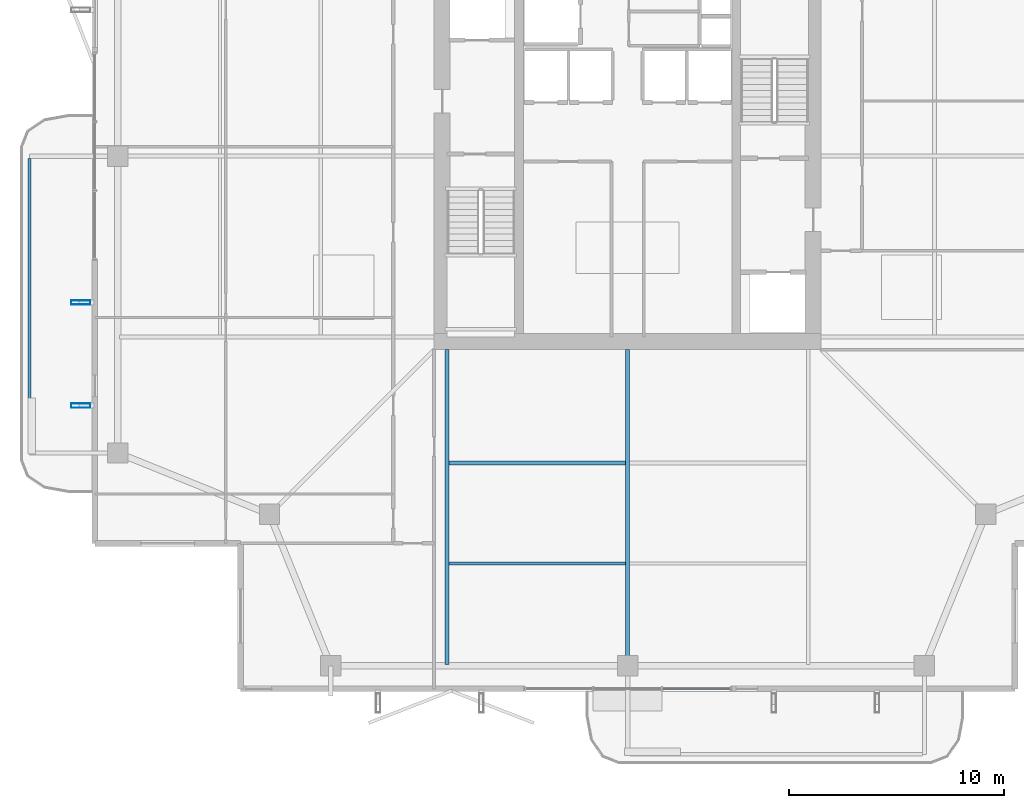
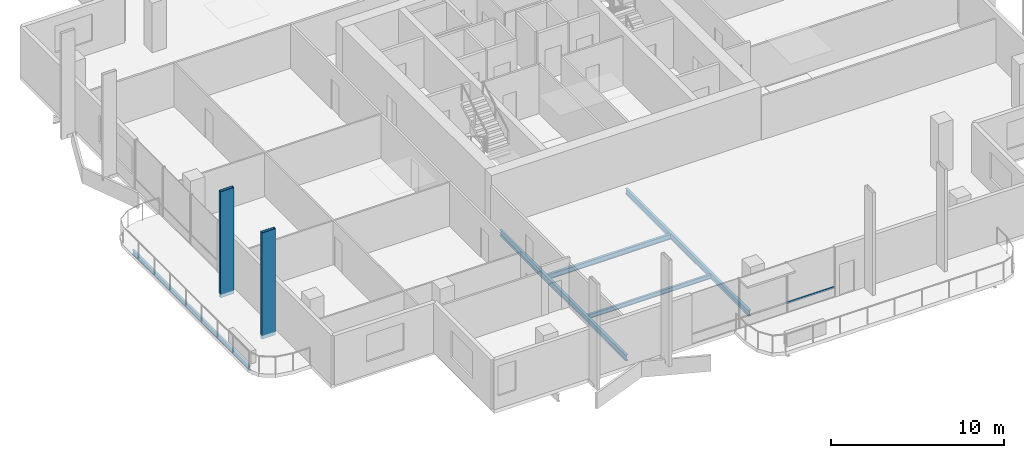
# One storey, part 3 of 25: 5 beams, 3 members, 1 element without a shape of its own.
"""IFC4 building model written with IfcOpenShell, lengths in metres."""

from ifc_helpers import new_model, si_unit, direction, frame, origin, origin_2d, place, context, subcontext, project, spatial, hollow_rectangle, i_section, extrude, material, layer, layer_set, material_profile, profile_set, type_object, element, aggregate, save


model = new_model("IFC4")

# Units and contexts
model_context = context("Model", 3, precision=1e-05, world=origin(), true_north=direction((0.0, 1.0)))
body_context = subcontext(model_context, "Body", "Model", "MODEL_VIEW")
ifc_project = project(units=[si_unit("LENGTHUNIT", "METRE"), si_unit("AREAUNIT", "SQUARE_METRE"), si_unit("VOLUMEUNIT", "CUBIC_METRE"), si_unit("PLANEANGLEUNIT", "RADIAN"), si_unit("MASSUNIT", "GRAM", prefix="KILO")], contexts=[model_context])

# Site, building, storey
site_placement = place(None, origin())
site = spatial("IfcSite", under=ifc_project, at=site_placement, CompositionType="ELEMENT")
building_placement = place(site_placement, origin())
building = spatial("IfcBuilding", under=site, at=building_placement, Name="Belovzor Exchange Tower", CompositionType="ELEMENT")
storey_placement = place(building_placement, frame((0.0, 0.0, 257.85009765625)))
storey = spatial("IfcBuildingStorey", under=building, at=storey_placement, Name="L64", CompositionType="ELEMENT", Elevation=257.85009765625)

# Beams
ifc_material_1 = material(Name="Steel S355", Category="steel")
ifc_material_profile_1 = material_profile(ifc_material_1, i_section(OverallWidth=0.14990234375, OverallDepth=0.300048828125, WebThickness=0.007080078125, FlangeThickness=0.0107421875, at=origin_2d()))
ifc_profile_set_1 = profile_set([ifc_material_profile_1], Name="Steel S355")
beam_type_1 = type_object("IfcBeamType", Name="Planted Balcony Fascia Edge Beam IPE 300", PredefinedType="BEAM", material=ifc_profile_set_1)
beam_1_placement = place(storey_placement, frame((0.989013671875, 28.699951171875, -0.400146484375), z_axis=(0.0, -1.0, 0.0), x_axis=(1.0, 0.0, 0.0)))
element("IfcBeam", 1, at=beam_1_placement, inside=storey, type_object=beam_type_1, Name="BC-300 Planted Balcony Fascia Edge Beam IPE 300", PredefinedType="BEAM", context=body_context, shape_type="SweptSolid", body=[
    extrude(i_section(OverallWidth=0.14990234375, OverallDepth=0.300048828125, WebThickness=0.007080078125, FlangeThickness=0.0107421875, at=origin_2d()), origin(), (0.0, 0.0, 1.0), 13.599853515625),
])
ifc_material_2 = material(Name="Steel S355", Category="steel")
ifc_material_profile_2 = material_profile(ifc_material_2, i_section(OverallWidth=0.169921875, OverallDepth=0.360107421875, WebThickness=0.008056640625, FlangeThickness=0.0126953125, at=origin_2d()))
ifc_profile_set_2 = profile_set([ifc_material_profile_2], Name="Steel S355")
beam_type_2 = type_object("IfcBeamType", Name="Secondary Infill Floor Joist IPE 360", PredefinedType="BEAM", material=ifc_profile_set_2)
beam_2_placement = place(storey_placement, frame((20.489990234375, 14.534912109375, -0.43017578125), z_axis=(1.0, 0.0, 0.0), x_axis=(0.0, 1.0, 0.0)))
element("IfcBeam", 2, at=beam_2_placement, inside=storey, type_object=beam_type_2, Name="FJ-360 Secondary Infill Floor Joist IPE 360", PredefinedType="BEAM", context=body_context, shape_type="SweptSolid", body=[
    extrude(i_section(OverallWidth=0.169921875, OverallDepth=0.360107421875, WebThickness=0.008056640625, FlangeThickness=0.0126953125, at=origin_2d()), origin(), (0.0, 0.0, 1.0), 8.219970703125),
])
ifc_material_3 = material(Name="Steel S355", Category="steel")
ifc_material_profile_3 = material_profile(ifc_material_3, i_section(OverallWidth=0.14990234375, OverallDepth=0.300048828125, WebThickness=0.007080078125, FlangeThickness=0.0107421875, at=origin_2d()))
ifc_profile_set_3 = profile_set([ifc_material_profile_3], Name="Steel S355")
beam_type_3 = type_object("IfcBeamType", Name="Secondary Trim Floor Joist IPE 300", PredefinedType="BEAM", material=ifc_profile_set_3)
beam_3_placement = place(storey_placement, frame((20.489990234375, 9.85498046875, -0.400146484375), z_axis=(1.0, 0.0, 0.0), x_axis=(0.0, 1.0, 0.0)))
element("IfcBeam", 3, at=beam_3_placement, inside=storey, type_object=beam_type_3, Name="FJ-300 Secondary Trim Floor Joist IPE 300", PredefinedType="BEAM", context=body_context, shape_type="SweptSolid", body=[
    extrude(i_section(OverallWidth=0.14990234375, OverallDepth=0.300048828125, WebThickness=0.007080078125, FlangeThickness=0.0107421875, at=origin_2d()), origin(), (0.0, 0.0, 1.0), 8.219970703125),
])

# Members
ifc_material_4 = material(Name="Extruded Architectural Terracotta on Steel S355 Carrier", Category="masonry")
ifc_material_profile_4 = material_profile(ifc_material_4, hollow_rectangle(XDim=0.199951171875, YDim=0.89990234375, WallThickness=0.011962890625, at=origin_2d()))
ifc_profile_set_4 = profile_set([ifc_material_profile_4], Name="Extruded Architectural Terracotta on Steel S355 Carrier")
member_type_1 = type_object("IfcMemberType", Name="Sweeping Terracotta Baguette Fin Assembly 950", PredefinedType="USERDEFINED", material=ifc_profile_set_4)
for number, where, z_axis, x_axis, name in (
    (4, (3.375, 17.199951171875, -0.25), (0.0, 0.0, 1.0), (0.0, 1.0, 0.0), "FIN-TC095 Terracotta Facade Fin L64 W1"),
    (5, (3.375, 22.0, -0.25), (0.0, 0.0, 1.0), (0.0, 1.0, 0.0), "FIN-TC095 Terracotta Facade Fin L64 W2"),
):
    element("IfcMember", number, at=place(storey_placement, frame(where, z_axis=z_axis, x_axis=x_axis)), inside=storey, type_object=member_type_1, Name=name, ObjectType="FIN", PredefinedType="USERDEFINED", context=body_context, shape_type="SweptSolid", body=[
        extrude(hollow_rectangle(XDim=0.199951171875, YDim=0.89990234375, WallThickness=0.011962890625, at=origin_2d()), origin(), (0.0, 0.0, 1.0), 7.5),
    ])

# Curtain wall, member
ifc_material_5 = material(Name="Anodised Aluminium Framing", Category="aluminium")
ifc_layer = layer(ifc_material_5, 0.179931640625)
ifc_layer_set = layer_set([ifc_layer], Name="Anodised Aluminium Framing")
curtain_wall_type = type_object("IfcCurtainWallType", Name="Recessed Loggia Low-Iron Triple-Glazed Curtain Wall", PredefinedType="NOTDEFINED", material=ifc_layer_set)
curtain_wall_placement = place(storey_placement, origin())
curtain_wall = element("IfcCurtainWall", 6, at=curtain_wall_placement, inside=storey, type_object=curtain_wall_type, Name="CW3 Recessed Loggia Low-Iron Triple-Glazed Curtain Wall L64", PredefinedType="NOTDEFINED")
ifc_material_6 = material(Name="Steel S355", Category="steel")
ifc_material_profile_5 = material_profile(ifc_material_6, hollow_rectangle(XDim=0.06005859375, YDim=0.14990234375, WallThickness=0.00390625, at=origin_2d()))
ifc_profile_set_5 = profile_set([ifc_material_profile_5], Name="Steel S355")
member_type_2 = type_object("IfcMemberType", Name="Thermally Broken Curtain Wall Transom 150x60", PredefinedType="USERDEFINED", material=ifc_profile_set_5)
member_placement = place(storey_placement, frame((33.592041015625, 4.030029296875, 0.6298828125), z_axis=(-1.0, 0.0, 0.0), x_axis=(0.0, -1.0, 0.0)))
member = element("IfcMember", 7, at=member_placement, type_object=member_type_2, Name="CW-T150 Curtain Wall Transom 1", ObjectType="TRANSOM", PredefinedType="USERDEFINED", context=body_context, shape_type="SweptSolid", body=[
    extrude(hollow_rectangle(XDim=0.06005859375, YDim=0.14990234375, WallThickness=0.00390625, at=origin_2d()), origin(), (0.0, 0.0, 1.0), 3.18408203125),
])
aggregate(curtain_wall, [member])

# Beams
ifc_material_7 = material(Name="Steel S355", Category="steel")
ifc_material_profile_6 = material_profile(ifc_material_7, i_section(OverallWidth=0.179931640625, OverallDepth=0.39990234375, WebThickness=0.008544921875, FlangeThickness=0.013427734375, at=origin_2d()))
ifc_profile_set_6 = profile_set([ifc_material_profile_6], Name="Steel S355")
beam_type_4 = type_object("IfcBeamType", Name="Zone 5-6 Radial Composite Floor Beam IPE 400", PredefinedType="BEAM", material=ifc_profile_set_6)
beam_4_placement = place(storey_placement, frame((20.39990234375, 19.800048828125, -0.4501953125), z_axis=(0.0, -1.0, 0.0), x_axis=(1.0, 0.0, 0.0)))
element("IfcBeam", 8, at=beam_4_placement, inside=storey, type_object=beam_type_4, Name="FB-400 Zone 5-6 Radial Composite Floor Beam IPE 400", PredefinedType="BEAM", context=body_context, shape_type="SweptSolid", body=[
    extrude(i_section(OverallWidth=0.179931640625, OverallDepth=0.39990234375, WebThickness=0.008544921875, FlangeThickness=0.013427734375, at=origin_2d()), origin(), (0.0, 0.0, 1.0), 14.625),
])
beam_5_placement = place(storey_placement, frame((28.800048828125, 19.800048828125, -0.4501953125), z_axis=(0.0, -1.0, 0.0), x_axis=(1.0, 0.0, 0.0)))
element("IfcBeam", 9, at=beam_5_placement, inside=storey, type_object=beam_type_4, Name="FB-400 Zone 5-6 Radial Composite Floor Beam IPE 400", PredefinedType="BEAM", context=body_context, shape_type="SweptSolid", body=[
    extrude(i_section(OverallWidth=0.179931640625, OverallDepth=0.39990234375, WebThickness=0.008544921875, FlangeThickness=0.013427734375, at=origin_2d()), origin(), (0.0, 0.0, 1.0), 14.281982421875),
])

save(model, "model.ifc")
